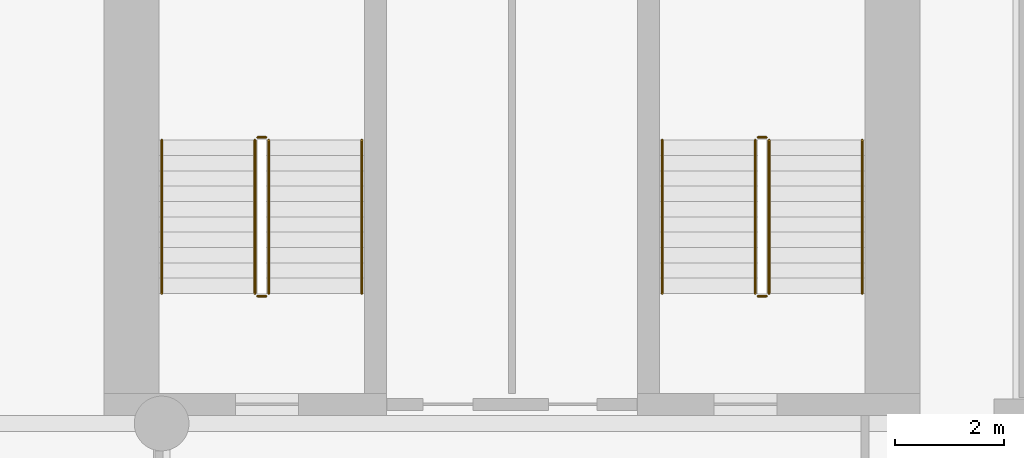
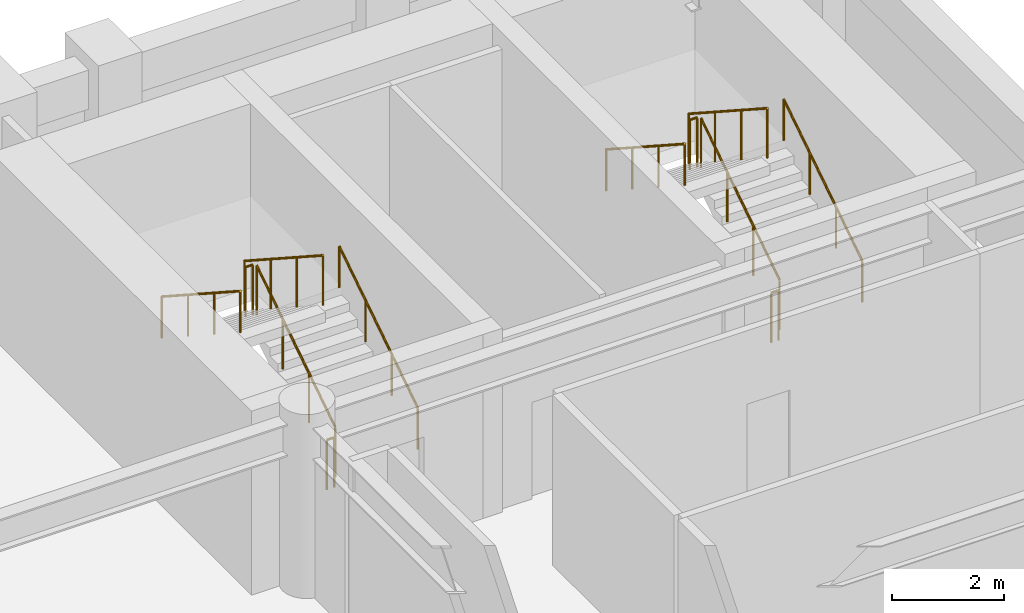
# One storey, part 10 of 10: 12 railings.
"""IFC4 building model written with IfcOpenShell, lengths in metres."""

from ifc_helpers import new_model, si_unit, direction, frame, origin, origin_2d, place, context, subcontext, project, spatial, circle, extrude, material, type_object, element, save


model = new_model("IFC4")

# Units and contexts
model_context = context("Model", 3, precision=1e-05, world=origin(), true_north=direction((0.0, 1.0)))
body_context = subcontext(model_context, "Body", "Model", "MODEL_VIEW")
ifc_project = project(units=[si_unit("LENGTHUNIT", "METRE"), si_unit("AREAUNIT", "SQUARE_METRE"), si_unit("VOLUMEUNIT", "CUBIC_METRE"), si_unit("PLANEANGLEUNIT", "RADIAN"), si_unit("MASSUNIT", "GRAM", prefix="KILO")], contexts=[model_context])

# Site, building, storey
site_placement = place(None, origin())
site = spatial("IfcSite", under=ifc_project, at=site_placement, CompositionType="ELEMENT")
building_placement = place(site_placement, origin())
building = spatial("IfcBuilding", under=site, at=building_placement, Name="Sulina Concourse Tower", CompositionType="ELEMENT")
storey_placement = place(building_placement, frame((0.0, 0.0, 58.60009765625)))
storey = spatial("IfcBuildingStorey", under=building, at=storey_placement, Name="L14", CompositionType="ELEMENT", Elevation=58.60009765625)

# Railings
ifc_material_1 = material(Name="Galvanised steel railing", Category="steel")
railing_type_1 = type_object("IfcRailingType", Name="Core Stair Steel Guardrail 1150mm", PredefinedType="GUARDRAIL", material=ifc_material_1)
railing_1_placement = place(storey_placement, frame((43.554931640625, 36.375, 0.181640625)))
element("IfcRailing", 1, at=railing_1_placement, inside=storey, type_object=railing_type_1, Name="L14 ST-3 stair guard 1", PredefinedType="GUARDRAIL", context=body_context, shape_type="SweptSolid", body=[
    extrude(circle(Radius=0.02392578125, at=origin_2d()), frame((0.0, 0.0, 1.076171875), z_axis=(0.0, 0.838672427954, 0.544636170843), x_axis=(-1.0, 0.0, 0.0)), (0.0, 0.0, 1.0), 3.338623046875),
    extrude(circle(Radius=0.02099609375, at=origin_2d()), origin(), (0.0, 0.0, 1.0), 1.052001953125),
    extrude(circle(Radius=0.02099609375, at=origin_2d()), frame((0.0, 0.933349609375, 0.606201171875)), (0.0, 0.0, 1.0), 1.052001953125),
    extrude(circle(Radius=0.02099609375, at=origin_2d()), frame((0.0, 1.86669921875, 1.212158203125)), (0.0, 0.0, 1.0), 1.052001953125),
    extrude(circle(Radius=0.02099609375, at=origin_2d()), frame((0.0, 2.800048828125, 1.818359375)), (0.0, 0.0, 1.0), 1.052001953125),
])
railing_2_placement = place(storey_placement, frame((43.5048828125, 39.22509765625, 2.0)))
element("IfcRailing", 2, at=railing_2_placement, inside=storey, type_object=railing_type_1, Name="L14 ST-3 stair guard 2", PredefinedType="GUARDRAIL", context=body_context, shape_type="SweptSolid", body=[
    extrude(circle(Radius=0.02392578125, at=origin_2d()), frame((0.0, 0.0, 1.076171875), z_axis=(-1.0, 0.0, 0.0), x_axis=(0.0, -1.0, 0.0)), (0.0, 0.0, 1.0), 0.14990234375),
    extrude(circle(Radius=0.02099609375, at=origin_2d()), origin(), (0.0, 0.0, 1.0), 1.052001953125),
    extrude(circle(Radius=0.02099609375, at=origin_2d()), frame((-0.14990234375, 0.0, 0.0)), (0.0, 0.0, 1.0), 1.052001953125),
])
railing_3_placement = place(storey_placement, frame((43.304931640625, 39.175048828125, 2.181640625)))
element("IfcRailing", 3, at=railing_3_placement, inside=storey, type_object=railing_type_1, Name="L14 ST-3 stair guard 3", PredefinedType="GUARDRAIL", context=body_context, shape_type="SweptSolid", body=[
    extrude(circle(Radius=0.02392578125, at=origin_2d()), frame((0.0, 0.0, 1.076171875), z_axis=(0.0, -0.838672427954, 0.544636170843), x_axis=(1.0, 0.0, 0.0)), (0.0, 0.0, 1.0), 3.338623046875),
    extrude(circle(Radius=0.02099609375, at=origin_2d()), origin(), (0.0, 0.0, 1.0), 1.052001953125),
    extrude(circle(Radius=0.02099609375, at=origin_2d()), frame((0.0, -0.933349609375, 0.606201171875)), (0.0, 0.0, 1.0), 1.052001953125),
    extrude(circle(Radius=0.02099609375, at=origin_2d()), frame((0.0, -1.86669921875, 1.212158203125)), (0.0, 0.0, 1.0), 1.052001953125),
    extrude(circle(Radius=0.02099609375, at=origin_2d()), frame((0.0, -2.800048828125, 1.818359375)), (0.0, 0.0, 1.0), 1.052001953125),
])
railing_4_placement = place(storey_placement, frame((43.5048828125, 36.324951171875, 0.0)))
element("IfcRailing", 4, at=railing_4_placement, inside=storey, type_object=railing_type_1, Name="L14 ST-3 stair guard 4", PredefinedType="GUARDRAIL", context=body_context, shape_type="SweptSolid", body=[
    extrude(circle(Radius=0.02392578125, at=origin_2d()), frame((0.0, 0.0, 1.076171875), z_axis=(-1.0, 0.0, 0.0), x_axis=(0.0, -1.0, 0.0)), (0.0, 0.0, 1.0), 0.14990234375),
    extrude(circle(Radius=0.02099609375, at=origin_2d()), origin(), (0.0, 0.0, 1.0), 1.052001953125),
    extrude(circle(Radius=0.02099609375, at=origin_2d()), frame((-0.14990234375, 0.0, 0.0)), (0.0, 0.0, 1.0), 1.052001953125),
])
railing_5_placement = place(storey_placement, frame((52.695068359375, 36.375, 0.181640625)))
element("IfcRailing", 5, at=railing_5_placement, inside=storey, type_object=railing_type_1, Name="L14 ST-4 stair guard 1", PredefinedType="GUARDRAIL", context=body_context, shape_type="SweptSolid", body=[
    extrude(circle(Radius=0.02392578125, at=origin_2d()), frame((0.0, 0.0, 1.076171875), z_axis=(0.0, 0.838672427954, 0.544636170843), x_axis=(-1.0, 0.0, 0.0)), (0.0, 0.0, 1.0), 3.338623046875),
    extrude(circle(Radius=0.02099609375, at=origin_2d()), origin(), (0.0, 0.0, 1.0), 1.052001953125),
    extrude(circle(Radius=0.02099609375, at=origin_2d()), frame((0.0, 0.933349609375, 0.606201171875)), (0.0, 0.0, 1.0), 1.052001953125),
    extrude(circle(Radius=0.02099609375, at=origin_2d()), frame((0.0, 1.86669921875, 1.212158203125)), (0.0, 0.0, 1.0), 1.052001953125),
    extrude(circle(Radius=0.02099609375, at=origin_2d()), frame((0.0, 2.800048828125, 1.818359375)), (0.0, 0.0, 1.0), 1.052001953125),
])
railing_6_placement = place(storey_placement, frame((52.64501953125, 39.22509765625, 2.0)))
element("IfcRailing", 6, at=railing_6_placement, inside=storey, type_object=railing_type_1, Name="L14 ST-4 stair guard 2", PredefinedType="GUARDRAIL", context=body_context, shape_type="SweptSolid", body=[
    extrude(circle(Radius=0.02392578125, at=origin_2d()), frame((0.0, 0.0, 1.076171875), z_axis=(-1.0, 0.0, 0.0), x_axis=(0.0, -1.0, 0.0)), (0.0, 0.0, 1.0), 0.14990234375),
    extrude(circle(Radius=0.02099609375, at=origin_2d()), origin(), (0.0, 0.0, 1.0), 1.052001953125),
    extrude(circle(Radius=0.02099609375, at=origin_2d()), frame((-0.14990234375, 0.0, 0.0)), (0.0, 0.0, 1.0), 1.052001953125),
])
railing_7_placement = place(storey_placement, frame((52.445068359375, 39.175048828125, 2.181640625)))
element("IfcRailing", 7, at=railing_7_placement, inside=storey, type_object=railing_type_1, Name="L14 ST-4 stair guard 3", PredefinedType="GUARDRAIL", context=body_context, shape_type="SweptSolid", body=[
    extrude(circle(Radius=0.02392578125, at=origin_2d()), frame((0.0, 0.0, 1.076171875), z_axis=(0.0, -0.838672427954, 0.544636170843), x_axis=(1.0, 0.0, 0.0)), (0.0, 0.0, 1.0), 3.338623046875),
    extrude(circle(Radius=0.02099609375, at=origin_2d()), origin(), (0.0, 0.0, 1.0), 1.052001953125),
    extrude(circle(Radius=0.02099609375, at=origin_2d()), frame((0.0, -0.933349609375, 0.606201171875)), (0.0, 0.0, 1.0), 1.052001953125),
    extrude(circle(Radius=0.02099609375, at=origin_2d()), frame((0.0, -1.86669921875, 1.212158203125)), (0.0, 0.0, 1.0), 1.052001953125),
    extrude(circle(Radius=0.02099609375, at=origin_2d()), frame((0.0, -2.800048828125, 1.818359375)), (0.0, 0.0, 1.0), 1.052001953125),
])
railing_8_placement = place(storey_placement, frame((52.64501953125, 36.324951171875, 0.0)))
element("IfcRailing", 8, at=railing_8_placement, inside=storey, type_object=railing_type_1, Name="L14 ST-4 stair guard 4", PredefinedType="GUARDRAIL", context=body_context, shape_type="SweptSolid", body=[
    extrude(circle(Radius=0.02392578125, at=origin_2d()), frame((0.0, 0.0, 1.076171875), z_axis=(-1.0, 0.0, 0.0), x_axis=(0.0, -1.0, 0.0)), (0.0, 0.0, 1.0), 0.14990234375),
    extrude(circle(Radius=0.02099609375, at=origin_2d()), origin(), (0.0, 0.0, 1.0), 1.052001953125),
    extrude(circle(Radius=0.02099609375, at=origin_2d()), frame((-0.14990234375, 0.0, 0.0)), (0.0, 0.0, 1.0), 1.052001953125),
])
ifc_material_2 = material(Name="Galvanised steel railing", Category="steel")
railing_type_2 = type_object("IfcRailingType", Name="Stair Wall Steel Handrail 920mm", PredefinedType="HANDRAIL", material=ifc_material_2)
railing_9_placement = place(storey_placement, frame((45.2548828125, 36.375, 0.181640625)))
element("IfcRailing", 9, at=railing_9_placement, inside=storey, type_object=railing_type_2, Name="L14 ST-3 stair handrail 1", PredefinedType="HANDRAIL", context=body_context, shape_type="SweptSolid", body=[
    extrude(circle(Radius=0.02392578125, at=origin_2d()), frame((0.0, 0.0, 0.89599609375), z_axis=(0.0, 0.838672427954, 0.544636170843), x_axis=(-1.0, 0.0, 0.0)), (0.0, 0.0, 1.0), 3.338623046875),
    extrude(circle(Radius=0.02099609375, at=origin_2d()), origin(), (0.0, 0.0, 1.0), 0.871826171875),
    extrude(circle(Radius=0.02099609375, at=origin_2d()), frame((0.0, 0.933349609375, 0.606201171875)), (0.0, 0.0, 1.0), 0.871826171875),
    extrude(circle(Radius=0.02099609375, at=origin_2d()), frame((0.0, 1.86669921875, 1.212158203125)), (0.0, 0.0, 1.0), 0.871826171875),
    extrude(circle(Radius=0.02099609375, at=origin_2d()), frame((0.0, 2.800048828125, 1.818359375)), (0.0, 0.0, 1.0), 0.871826171875),
])
railing_10_placement = place(storey_placement, frame((41.60498046875, 39.175048828125, 2.181640625)))
element("IfcRailing", 10, at=railing_10_placement, inside=storey, type_object=railing_type_2, Name="L14 ST-3 stair handrail 2", PredefinedType="HANDRAIL", context=body_context, shape_type="SweptSolid", body=[
    extrude(circle(Radius=0.02392578125, at=origin_2d()), frame((0.0, 0.0, 0.89599609375), z_axis=(0.0, -0.838672427954, 0.544636170843), x_axis=(1.0, 0.0, 0.0)), (0.0, 0.0, 1.0), 3.338623046875),
    extrude(circle(Radius=0.02099609375, at=origin_2d()), origin(), (0.0, 0.0, 1.0), 0.871826171875),
    extrude(circle(Radius=0.02099609375, at=origin_2d()), frame((0.0, -0.933349609375, 0.606201171875)), (0.0, 0.0, 1.0), 0.871826171875),
    extrude(circle(Radius=0.02099609375, at=origin_2d()), frame((0.0, -1.86669921875, 1.212158203125)), (0.0, 0.0, 1.0), 0.871826171875),
    extrude(circle(Radius=0.02099609375, at=origin_2d()), frame((0.0, -2.800048828125, 1.818359375)), (0.0, 0.0, 1.0), 0.871826171875),
])
railing_11_placement = place(storey_placement, frame((54.39501953125, 36.375, 0.181640625)))
element("IfcRailing", 11, at=railing_11_placement, inside=storey, type_object=railing_type_2, Name="L14 ST-4 stair handrail 1", PredefinedType="HANDRAIL", context=body_context, shape_type="SweptSolid", body=[
    extrude(circle(Radius=0.02392578125, at=origin_2d()), frame((0.0, 0.0, 0.89599609375), z_axis=(0.0, 0.838672427954, 0.544636170843), x_axis=(-1.0, 0.0, 0.0)), (0.0, 0.0, 1.0), 3.338623046875),
    extrude(circle(Radius=0.02099609375, at=origin_2d()), origin(), (0.0, 0.0, 1.0), 0.871826171875),
    extrude(circle(Radius=0.02099609375, at=origin_2d()), frame((0.0, 0.933349609375, 0.606201171875)), (0.0, 0.0, 1.0), 0.871826171875),
    extrude(circle(Radius=0.02099609375, at=origin_2d()), frame((0.0, 1.86669921875, 1.212158203125)), (0.0, 0.0, 1.0), 0.871826171875),
    extrude(circle(Radius=0.02099609375, at=origin_2d()), frame((0.0, 2.800048828125, 1.818359375)), (0.0, 0.0, 1.0), 0.871826171875),
])
railing_12_placement = place(storey_placement, frame((50.7451171875, 39.175048828125, 2.181640625)))
element("IfcRailing", 12, at=railing_12_placement, inside=storey, type_object=railing_type_2, Name="L14 ST-4 stair handrail 2", PredefinedType="HANDRAIL", context=body_context, shape_type="SweptSolid", body=[
    extrude(circle(Radius=0.02392578125, at=origin_2d()), frame((0.0, 0.0, 0.89599609375), z_axis=(0.0, -0.838672427954, 0.544636170843), x_axis=(1.0, 0.0, 0.0)), (0.0, 0.0, 1.0), 3.338623046875),
    extrude(circle(Radius=0.02099609375, at=origin_2d()), origin(), (0.0, 0.0, 1.0), 0.871826171875),
    extrude(circle(Radius=0.02099609375, at=origin_2d()), frame((0.0, -0.933349609375, 0.606201171875)), (0.0, 0.0, 1.0), 0.871826171875),
    extrude(circle(Radius=0.02099609375, at=origin_2d()), frame((0.0, -1.86669921875, 1.212158203125)), (0.0, 0.0, 1.0), 0.871826171875),
    extrude(circle(Radius=0.02099609375, at=origin_2d()), frame((0.0, -2.800048828125, 1.818359375)), (0.0, 0.0, 1.0), 0.871826171875),
])

save(model, "model.ifc")
